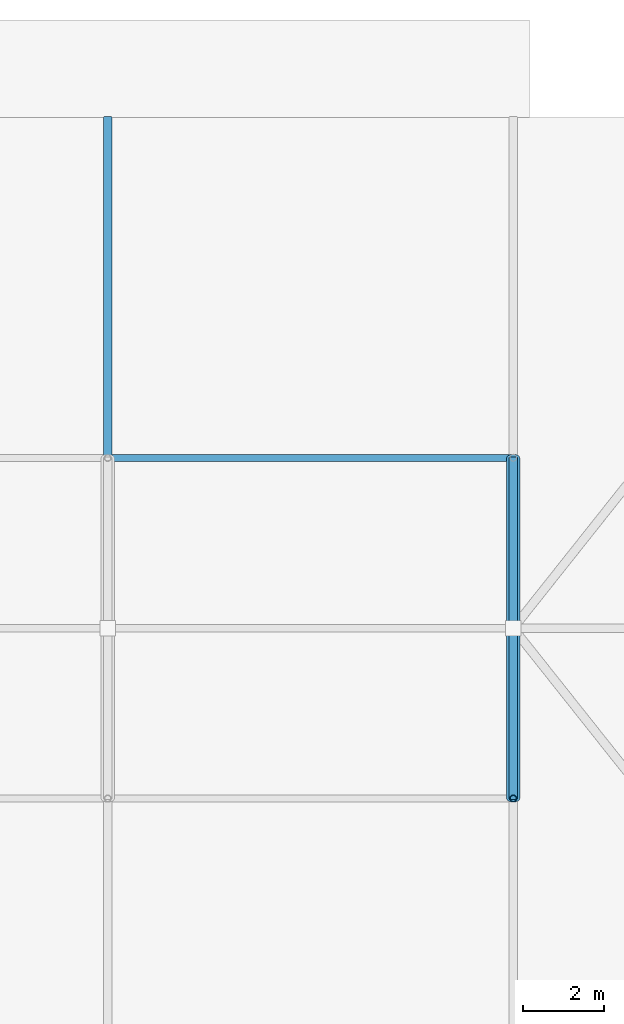
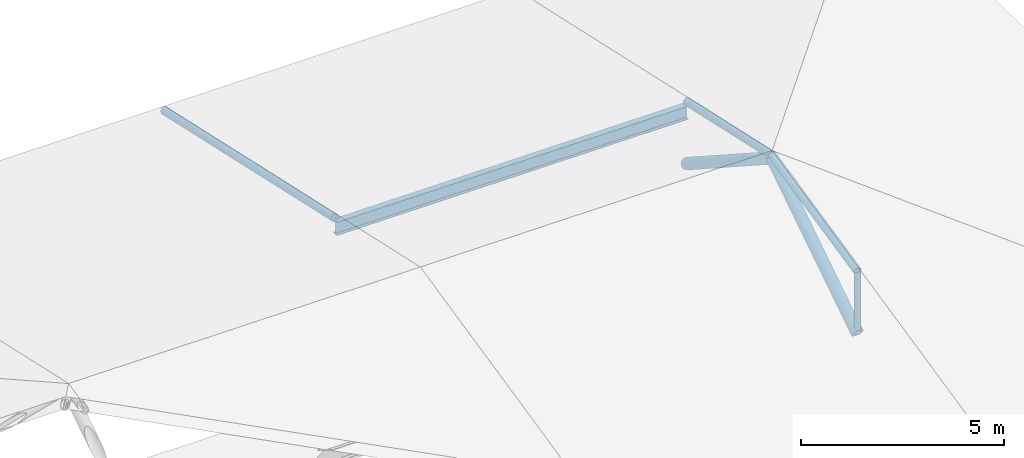
# One storey, part 58 of 93: 6 members, 1 beam.
"""IFC4 building model written with IfcOpenShell, lengths in metres."""

import ifcopenshell
import ifcopenshell.guid

model = None  # the IFC model being written
_history = None  # IfcOwnerHistory: only IFC2X3 demands one
_inside = {}  # id of a spatial element -> (the spatial element, [elements in it])
_under = {}  # id of a project, library or spatial element -> (it, [spatial elements below it])
_declared = {}  # id of a project -> (the project, [libraries it declares])
_typed = {}  # id of a type object -> (the type object, [elements of that type])
_made_of = {}  # id of a material, layer set ... -> (it, [elements and type objects made of it])


def new_model(schema):
    """Start an empty IFC model of exactly this schema.

    Asked for "IFC4X3", IfcOpenShell would pick the latest addendum, in which some entities
    have other attributes; the version numbers below select the first issue.
    IFC2X3 requires an IfcOwnerHistory on every rooted entity: one is made here for all.
    """
    global model, _history
    if schema == "IFC4X3":
        model = ifcopenshell.file(schema_version=(4, 3, 0, 0))
    else:
        model = ifcopenshell.file(schema=schema)
    _inside.clear()
    _under.clear()
    _declared.clear()
    _typed.clear()
    _made_of.clear()
    _history = None
    if model.schema == "IFC2X3":
        org = make("IfcOrganization", Name="unknown")
        user = make(
            "IfcPersonAndOrganization",
            ThePerson=make("IfcPerson", FamilyName="unknown"),
            TheOrganization=org,
        )
        app = make(
            "IfcApplication",
            ApplicationDeveloper=org,
            Version="unknown",
            ApplicationFullName="unknown",
            ApplicationIdentifier="unknown",
        )
        _history = make(
            "IfcOwnerHistory",
            OwningUser=user,
            OwningApplication=app,
            ChangeAction="ADDED",
            CreationDate=0,
        )
    return model


def make(cls, **values):
    """One entity of the class cls with the attributes given. An attribute that is None is left unset."""
    return model.create_entity(
        cls, **{name: value for name, value in values.items() if value is not None}
    )


def rooted(cls, **values):
    """An entity with a GlobalId (a new one), such as an element, a storey or a relation."""
    return make(cls, GlobalId=ifcopenshell.guid.new(), OwnerHistory=_history, **values)


def si_unit(unit_type, name, prefix=None):
    """IfcSIUnit, for example si_unit("LENGTHUNIT", "METRE", prefix="MILLI")."""
    return make("IfcSIUnit", UnitType=unit_type, Prefix=prefix, Name=name)


def derived_unit(unit_type, elements):
    """IfcDerivedUnit: a product of units, each with its exponent."""
    return make(
        "IfcDerivedUnit",
        Elements=[
            make("IfcDerivedUnitElement", Unit=unit, Exponent=power)
            for unit, power in elements
        ],
        UnitType=unit_type,
    )


def assignment(units):
    """IfcUnitAssignment: the units of a project."""
    return None if units is None else make("IfcUnitAssignment", Units=units)


def point(xyz):
    """IfcCartesianPoint."""
    return None if xyz is None else make("IfcCartesianPoint", Coordinates=xyz)


def direction(xyz):
    """IfcDirection."""
    return None if xyz is None else make("IfcDirection", DirectionRatios=xyz)


def frame(location, z_axis=None, x_axis=None):
    """IfcAxis2Placement3D, a coordinate frame: its origin and axes. An axis left out is left unset."""
    return make(
        "IfcAxis2Placement3D",
        Location=point(location),
        Axis=direction(z_axis),
        RefDirection=direction(x_axis),
    )


def frame_2d(location, x_axis=None):
    """IfcAxis2Placement2D, a coordinate frame in the plane: its origin and x axis."""
    return make(
        "IfcAxis2Placement2D", Location=point(location), RefDirection=direction(x_axis)
    )


def origin():
    """The frame at (0, 0, 0) with its axes left unset."""
    return frame((0.0, 0.0, 0.0))


def origin_2d_with_axis():
    """The frame at (0, 0) in the plane with the x axis (1, 0) written out."""
    return frame_2d((0.0, 0.0), x_axis=(1.0, 0.0))


def place(relative_to, where):
    """IfcLocalPlacement: puts the frame where relative to a parent placement (None: the world)."""
    return make(
        "IfcLocalPlacement", PlacementRelTo=relative_to, RelativePlacement=where
    )


def context(
    kind, dimensions, precision=None, world=None, true_north=None, identifier=None
):
    """IfcGeometricRepresentationContext, for example the 3D "Model" context."""
    return make(
        "IfcGeometricRepresentationContext",
        ContextIdentifier=identifier,
        ContextType=kind,
        CoordinateSpaceDimension=dimensions,
        Precision=precision,
        WorldCoordinateSystem=world,
        TrueNorth=true_north,
    )


def subcontext(parent, identifier, kind, view, scale=None):
    """IfcGeometricRepresentationSubContext, for example "Body" below "Model"."""
    return make(
        "IfcGeometricRepresentationSubContext",
        ContextIdentifier=identifier,
        ContextType=kind,
        ParentContext=parent,
        TargetScale=scale,
        TargetView=view,
    )


def project(units=None, contexts=None):
    """IfcProject with its units and contexts."""
    return rooted(
        "IfcProject",
        Name="project",
        RepresentationContexts=contexts,
        UnitsInContext=assignment(units),
    )


def spatial(cls, under=None, at=None, **own):
    """A site, building, storey or space (cls), placed at a placement, below another one or the project."""
    s = rooted(cls, ObjectPlacement=at, **own)
    if under is not None:
        _under.setdefault(under.id(), (under, []))[1].append(s)
    return s


def profile(cls, at=None, kind="AREA", **sizes):
    """A parametric profile (cls). Its sizes go by their IFC names, for example OverallWidth=200.0."""
    return make(cls, ProfileType=kind, Position=at, **sizes)


def hollow_circle(**sizes):
    """IfcCircleHollowProfileDef."""
    return profile("IfcCircleHollowProfileDef", **sizes)


def i_section(**sizes):
    """IfcIShapeProfileDef."""
    return profile("IfcIShapeProfileDef", **sizes)


def extrude(swept, where, along, depth):
    """IfcExtrudedAreaSolid: the profile swept, set in the frame where, extruded along a direction by depth."""
    return make(
        "IfcExtrudedAreaSolid",
        SweptArea=swept,
        Position=where,
        ExtrudedDirection=direction(along),
        Depth=depth,
    )


def shape(context_of_items, identifier, shape_type, items):
    """IfcShapeRepresentation: the items that make up one representation, for example the "Body"."""
    return make(
        "IfcShapeRepresentation",
        ContextOfItems=context_of_items,
        RepresentationIdentifier=identifier,
        RepresentationType=shape_type,
        Items=items,
    )


def material(Name=None, Category=None):
    """IfcMaterial."""
    return make("IfcMaterial", Name=Name, Category=Category)


def material_profile(
    of_material, cross_section, Name=None, Category=None, Priority=None
):
    """IfcMaterialProfile: a cross section and its material."""
    return make(
        "IfcMaterialProfile",
        Name=Name,
        Material=of_material,
        Profile=cross_section,
        Priority=Priority,
        Category=Category,
    )


def profile_set(profiles, Name=None, composite=None):
    """IfcMaterialProfileSet."""
    return make(
        "IfcMaterialProfileSet",
        Name=Name,
        MaterialProfiles=profiles,
        CompositeProfile=composite,
    )


def made_of(thing, what):
    """Note that an element or type object is made of a material, layer set ...; save() writes the relation."""
    if what is not None:
        _made_of.setdefault(what.id(), (what, []))[1].append(thing)
    return thing


def type_object(cls, material=None, **own):
    """A type object (cls), such as IfcWallType, which elements share."""
    return made_of(rooted(cls, **own), material)


def element(
    cls,
    number,
    at=None,
    inside=None,
    cuts=None,
    type_object=None,
    material=None,
    context=None,
    identifier="Body",
    shape_type=None,
    held_by="IfcProductDefinitionShape",
    body=None,
    shapes=None,
    **own,
):
    """One element of the class cls, such as IfcWall. Its Tag is "e" and its number.

    at: its placement. inside: the storey or other place that contains it. cuts: it is an
    opening in that element (IfcRelVoidsElement). A single representation is given by context,
    identifier, shape_type and body (its items); several are given by shapes. held_by: the class
    of the entity that holds the representations. save() writes the other relations.
    """
    e = rooted(cls, Tag="e%d" % number, ObjectPlacement=at, **own)
    if body is not None:
        shapes = [shape(context, identifier, shape_type, body)]
    if shapes is not None:
        e.Representation = make(held_by, Representations=shapes)
    if inside is not None:
        _inside.setdefault(inside.id(), (inside, []))[1].append(e)
    if cuts is not None:
        rooted(
            "IfcRelVoidsElement", RelatingBuildingElement=cuts, RelatedOpeningElement=e
        )
    if type_object is not None:
        _typed.setdefault(type_object.id(), (type_object, []))[1].append(e)
    return made_of(e, material)


def aggregate(whole, parts):
    """IfcRelAggregates: a whole, such as a stair, and the parts it consists of."""
    return rooted("IfcRelAggregates", RelatingObject=whole, RelatedObjects=parts)


def save(model, path):
    """Write the relations noted so far, then the file.

    IfcRelAggregates (storeys below a building ...), IfcRelContainedInSpatialStructure (elements
    in a storey), IfcRelDefinesByType, IfcRelAssociatesMaterial and IfcRelDeclares: one each for
    every whole, place, type object, material and project.
    """
    for whole, parts in _under.values():
        aggregate(whole, parts)
    for where, things in _inside.values():
        rooted(
            "IfcRelContainedInSpatialStructure",
            RelatedElements=things,
            RelatingStructure=where,
        )
    for kind, things in _typed.values():
        rooted("IfcRelDefinesByType", RelatedObjects=things, RelatingType=kind)
    for what, things in _made_of.values():
        rooted("IfcRelAssociatesMaterial", RelatedObjects=things, RelatingMaterial=what)
    for by, libraries in _declared.values():
        rooted("IfcRelDeclares", RelatingContext=by, RelatedDefinitions=libraries)
    model.write(path)


model = new_model("IFC4")

# Units and contexts
model_context = context("Model", 3, precision=1e-05, world=origin(), true_north=direction((0.0, 1.0)))
body_context = subcontext(model_context, "Body", "Model", "MODEL_VIEW")
ifc_project = project(units=[si_unit("LENGTHUNIT", "METRE"), si_unit("AREAUNIT", "SQUARE_METRE"), si_unit("VOLUMEUNIT", "CUBIC_METRE"), si_unit("PLANEANGLEUNIT", "RADIAN"), si_unit("MASSUNIT", "GRAM", prefix="KILO"), derived_unit("THERMALTRANSMITTANCEUNIT", [(si_unit("POWERUNIT", "WATT"), 1), (si_unit("LENGTHUNIT", "METRE"), -2), (si_unit("THERMODYNAMICTEMPERATUREUNIT", "KELVIN"), -1)])], contexts=[model_context])

# Site, building, storey
site_placement = place(None, origin())
site = spatial("IfcSite", under=ifc_project, at=site_placement, CompositionType="ELEMENT")
building_placement = place(site_placement, origin())
building = spatial("IfcBuilding", under=site, at=building_placement, Name="Cinnabar Yard Market Hall", CompositionType="ELEMENT")
storey_placement = place(building_placement, frame((0.0, 0.0, 23.800048828125)))
storey = spatial("IfcBuildingStorey", under=building, at=storey_placement, Name="ROOF", CompositionType="ELEMENT", Elevation=23.800048828125)

# Beam
ifc_material_1 = material(Name="Steel Grade 300 (300 MPa)", Category="steel")
ifc_material_profile_1 = material_profile(ifc_material_1, i_section(OverallWidth=0.177978515625, OverallDepth=0.406494140625, WebThickness=0.0078125, FlangeThickness=0.0126953125, FilletRadius=0.011474609375, at=origin_2d_with_axis()), Name="410UB59.7")
ifc_profile_set_1 = profile_set([ifc_material_profile_1], Name="Steel Grade 300 (300 MPa)")
beam_type = type_object("IfcBeamType", Name="BM-B06", PredefinedType="BEAM", material=ifc_profile_set_1)
beam_placement = place(storey_placement, frame((116.0, 129.60009765625, -3.61328125), z_axis=(1.0, 0.0, 0.0), x_axis=(0.0, 1.0, 0.0)))
element("IfcBeam", 1, at=beam_placement, inside=storey, type_object=beam_type, Name="Belvedere Purlin Girder 129 01603", PredefinedType="BEAM", context=body_context, shape_type="SweptSolid", body=[
    extrude(i_section(OverallWidth=0.177978515625, OverallDepth=0.406494140625, WebThickness=0.0078125, FlangeThickness=0.0126953125, FilletRadius=0.011474609375, at=origin_2d_with_axis()), origin(), (0.0, 0.0, 1.0), 10.0),
])

# Members
ifc_material_2 = material(Name="Cold-formed steel C350L0", Category="steel")
ifc_material_profile_2 = material_profile(ifc_material_2, hollow_circle(Radius=0.109619140625, WallThickness=0.00830078125, at=origin_2d_with_axis()), Name="219.1x8.2CHS")
ifc_profile_set_2 = profile_set([ifc_material_profile_2], Name="Cold-formed steel C350L0")
member_type_1 = type_object("IfcMemberType", Name="MB-BC02", PredefinedType="CHORD", material=ifc_profile_set_2)
member_1_placement = place(storey_placement, frame((116.0, 129.60009765625, -3.330078125), z_axis=(0.0, 0.976107557975, -0.217287908694), x_axis=(-1.0, 0.0, 0.0)))
element("IfcMember", 2, at=member_1_placement, inside=storey, type_object=member_type_1, Name="Belvedere Rafter 116-129", PredefinedType="CHORD", context=body_context, shape_type="SweptSolid", body=[
    extrude(hollow_circle(Radius=0.109619140625, WallThickness=0.00830078125, at=origin_2d_with_axis()), origin(), (0.0, 0.0, 1.0), 8.60546875),
])
member_2_placement = place(storey_placement, frame((126.0, 121.199951171875, -3.330078125), z_axis=(0.0, 0.976353697207, 0.216179226453), x_axis=(-1.0, 0.0, 0.0)))
element("IfcMember", 3, at=member_2_placement, inside=storey, type_object=member_type_1, Name="Belvedere Rafter 126-121", PredefinedType="CHORD", context=body_context, shape_type="SweptSolid", body=[
    extrude(hollow_circle(Radius=0.109619140625, WallThickness=0.00830078125, at=origin_2d_with_axis()), origin(), (0.0, 0.0, 1.0), 4.3017578125),
])
member_3_placement = place(storey_placement, frame((126.0, 125.39990234375, -2.400146484375), z_axis=(0.0, 0.976356349337, -0.216167248002), x_axis=(-1.0, 0.0, 0.0)))
element("IfcMember", 4, at=member_3_placement, inside=storey, type_object=member_type_1, Name="Belvedere Rafter 126-125", PredefinedType="CHORD", context=body_context, shape_type="SweptSolid", body=[
    extrude(hollow_circle(Radius=0.109619140625, WallThickness=0.00830078125, at=origin_2d_with_axis()), origin(), (0.0, 0.0, 1.0), 4.302001953125),
])
ifc_material_3 = material(Name="Spotted-gum glulam-clad steel Grade 350 (350 MPa)", Category="steel")
ifc_material_profile_3 = material_profile(ifc_material_3, hollow_circle(Radius=0.161865234375, WallThickness=0.009521484375, at=origin_2d_with_axis()), Name="323.9x9.5CHS")
ifc_profile_set_3 = profile_set([ifc_material_profile_3], Name="Spotted-gum glulam-clad steel Grade 350 (350 MPa)")
member_type_2 = type_object("IfcMemberType", Name="MB-ST01", PredefinedType="STRUT", material=ifc_profile_set_3)
member_4_placement = place(storey_placement, frame((126.0, 121.199951171875, -5.199951171875), z_axis=(0.0, 0.839355410214, 0.543583016055), x_axis=(-1.0, 0.0, 0.0)))
element("IfcMember", 5, at=member_4_placement, inside=storey, type_object=member_type_2, Name="Belvedere Ridge Strut S 126", PredefinedType="STRUT", context=body_context, shape_type="SweptSolid", body=[
    extrude(hollow_circle(Radius=0.161865234375, WallThickness=0.009521484375, at=origin_2d_with_axis()), origin(), (0.0, 0.0, 1.0), 5.003662109375),
])
member_5_placement = place(storey_placement, frame((126.0, 129.60009765625, -5.199951171875), z_axis=(0.0, -0.839369826281, 0.543560755324), x_axis=(1.0, 0.0, 0.0)))
element("IfcMember", 6, at=member_5_placement, inside=storey, type_object=member_type_2, Name="Belvedere Ridge Strut N 126", PredefinedType="STRUT", context=body_context, shape_type="SweptSolid", body=[
    extrude(hollow_circle(Radius=0.161865234375, WallThickness=0.009521484375, at=origin_2d_with_axis()), origin(), (0.0, 0.0, 1.0), 5.00390625),
])
ifc_material_profile_4 = material_profile(ifc_material_2, hollow_circle(Radius=0.084228515625, WallThickness=0.00634765625, at=origin_2d_with_axis()), Name="168.3x6.4CHS")
ifc_profile_set_4 = profile_set([ifc_material_profile_4], Name="Cold-formed steel C350L0")
member_type_3 = type_object("IfcMemberType", Name="MB-WB01", PredefinedType="STRUT", material=ifc_profile_set_4)
member_6_placement = place(storey_placement, frame((126.0, 121.199951171875, -5.199951171875), z_axis=(0.0, 0.0, 1.0), x_axis=(1.0, 0.0, 0.0)))
element("IfcMember", 7, at=member_6_placement, inside=storey, type_object=member_type_3, Name="Belvedere Roof Post 126-121", PredefinedType="STRUT", context=body_context, shape_type="SweptSolid", body=[
    extrude(hollow_circle(Radius=0.084228515625, WallThickness=0.00634765625, at=origin_2d_with_axis()), origin(), (0.0, 0.0, 1.0), 1.869873046875),
])

save(model, "model.ifc")
